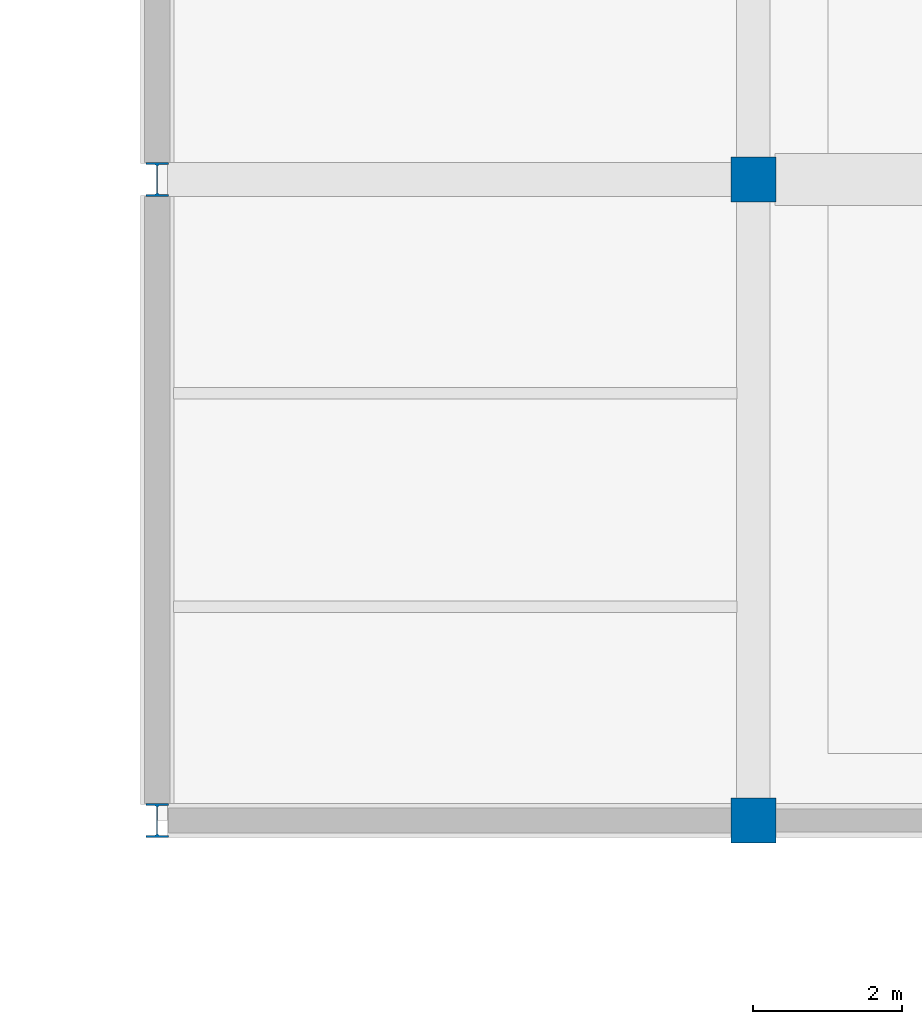
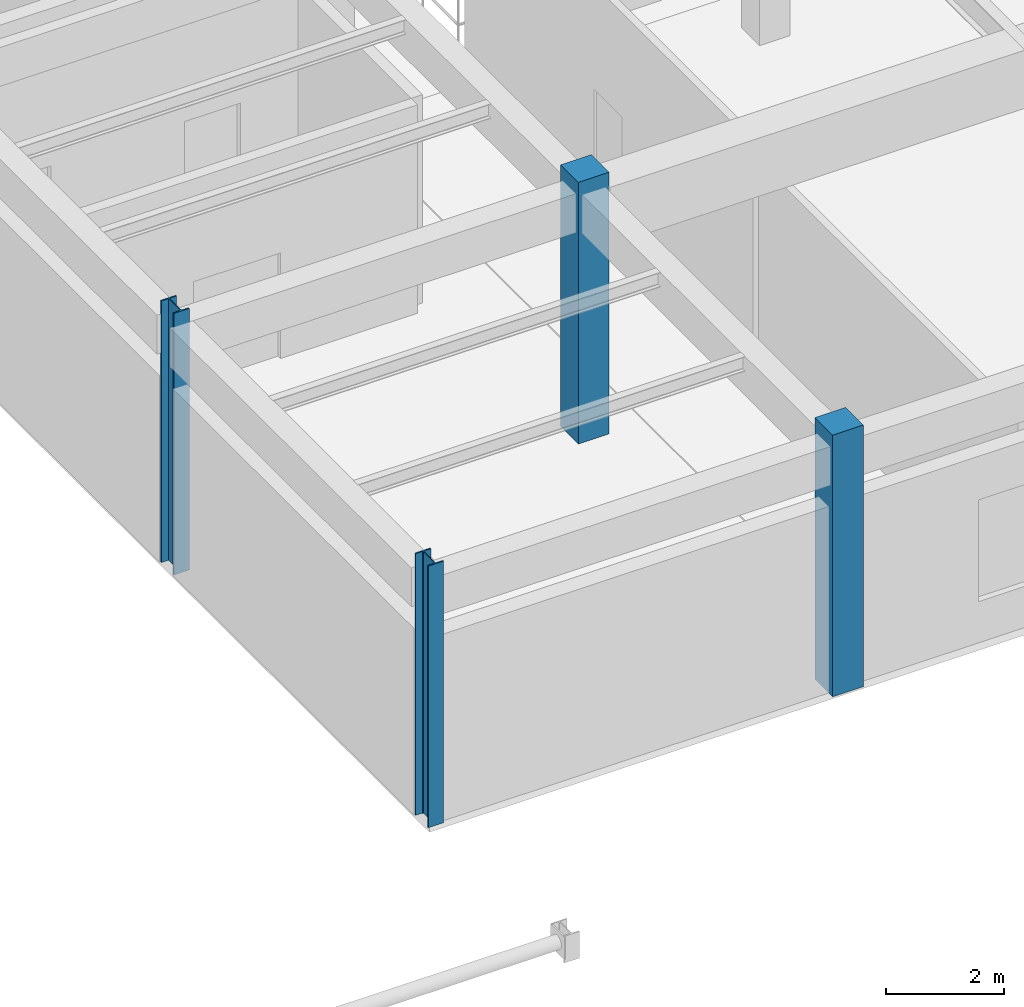
# One storey, part 3 of 38: 4 columns.
"""IFC4 building model written with IfcOpenShell, lengths in metres."""

from ifc_helpers import new_model, si_unit, direction, frame, origin, origin_2d, place, context, subcontext, project, spatial, rectangle, i_section, extrude, material, material_profile, profile_set, type_object, element, save


model = new_model("IFC4")

# Units and contexts
model_context = context("Model", 3, precision=1e-05, world=origin(), true_north=direction((0.0, 1.0)))
body_context = subcontext(model_context, "Body", "Model", "MODEL_VIEW")
ifc_project = project(units=[si_unit("LENGTHUNIT", "METRE"), si_unit("AREAUNIT", "SQUARE_METRE"), si_unit("VOLUMEUNIT", "CUBIC_METRE"), si_unit("PLANEANGLEUNIT", "RADIAN"), si_unit("MASSUNIT", "GRAM", prefix="KILO")], contexts=[model_context])

# Site, building, storey
site_placement = place(None, origin())
site = spatial("IfcSite", under=ifc_project, at=site_placement, CompositionType="ELEMENT")
building_placement = place(site_placement, origin())
building = spatial("IfcBuilding", under=site, at=building_placement, Name="Muzn Square Opera House", CompositionType="ELEMENT")
storey_placement = place(building_placement, frame((0.0, 0.0, 18.0)))
storey = spatial("IfcBuildingStorey", under=building, at=storey_placement, Name="L04", CompositionType="ELEMENT", Elevation=18.0)

# Columns
ifc_material_1 = material(Name="Concrete C45/55", Category="concrete")
ifc_material_profile_1 = material_profile(ifc_material_1, rectangle(XDim=0.60009765625, YDim=0.60009765625, at=origin_2d()), Name="RC 600x600", Category="concrete")
ifc_profile_set_1 = profile_set([ifc_material_profile_1], Name="Concrete C45/55")
column_type_1 = type_object("IfcColumnType", Name="Frame Column 600x600", PredefinedType="COLUMN", material=ifc_profile_set_1)
for number, where, z_axis, x_axis, name in (
    (1, (141.0, 72.60009765625, 0.0), (0.0, 0.0, 1.0), (1.0, 0.0, 0.0), "Column COL-L04-COL-600-1410_726"),
    (2, (141.0, 81.199951171875, 0.0), (0.0, 0.0, 1.0), (1.0, 0.0, 0.0), "Column COL-L04-COL-600-1410_812"),
):
    element("IfcColumn", number, at=place(storey_placement, frame(where, z_axis=z_axis, x_axis=x_axis)), inside=storey, type_object=column_type_1, Name=name, PredefinedType="COLUMN", context=body_context, shape_type="SweptSolid", body=[
        extrude(rectangle(XDim=0.60009765625, YDim=0.60009765625, at=origin_2d()), origin(), (0.0, 0.0, 1.0), 5.39990234375),
    ])
ifc_material_2 = material(Name="Steel S355", Category="steel")
ifc_material_profile_2 = material_profile(ifc_material_2, i_section(OverallWidth=0.300048828125, OverallDepth=0.449951171875, WebThickness=0.013916015625, FlangeThickness=0.02587890625, FilletRadius=0.027099609375, at=origin_2d()), Name="HEB 450", Category="steel")
ifc_profile_set_2 = profile_set([ifc_material_profile_2], Name="Steel S355")
column_type_2 = type_object("IfcColumnType", Name="Steel Gallery Column HEB450", PredefinedType="COLUMN", material=ifc_profile_set_2)
for number, where, z_axis, x_axis, name in (
    (3, (133.0, 72.60009765625, 0.0), (0.0, 0.0, 1.0), (1.0, 0.0, 0.0), "Column COL-L04-COL-HEB450-1330_726"),
    (4, (133.0, 81.199951171875, 0.0), (0.0, 0.0, 1.0), (1.0, 0.0, 0.0), "Column COL-L04-COL-HEB450-1330_812"),
):
    element("IfcColumn", number, at=place(storey_placement, frame(where, z_axis=z_axis, x_axis=x_axis)), inside=storey, type_object=column_type_2, Name=name, PredefinedType="COLUMN", context=body_context, shape_type="SweptSolid", body=[
        extrude(i_section(OverallWidth=0.300048828125, OverallDepth=0.449951171875, WebThickness=0.013916015625, FlangeThickness=0.02587890625, FilletRadius=0.027099609375, at=origin_2d()), origin(), (0.0, 0.0, 1.0), 5.39990234375),
    ])

save(model, "model.ifc")
